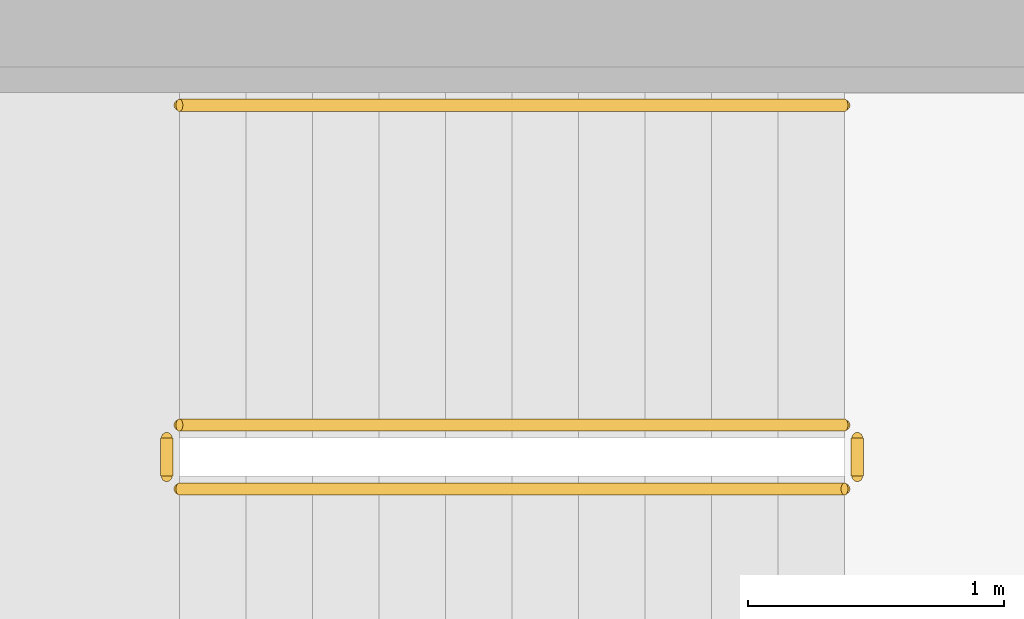
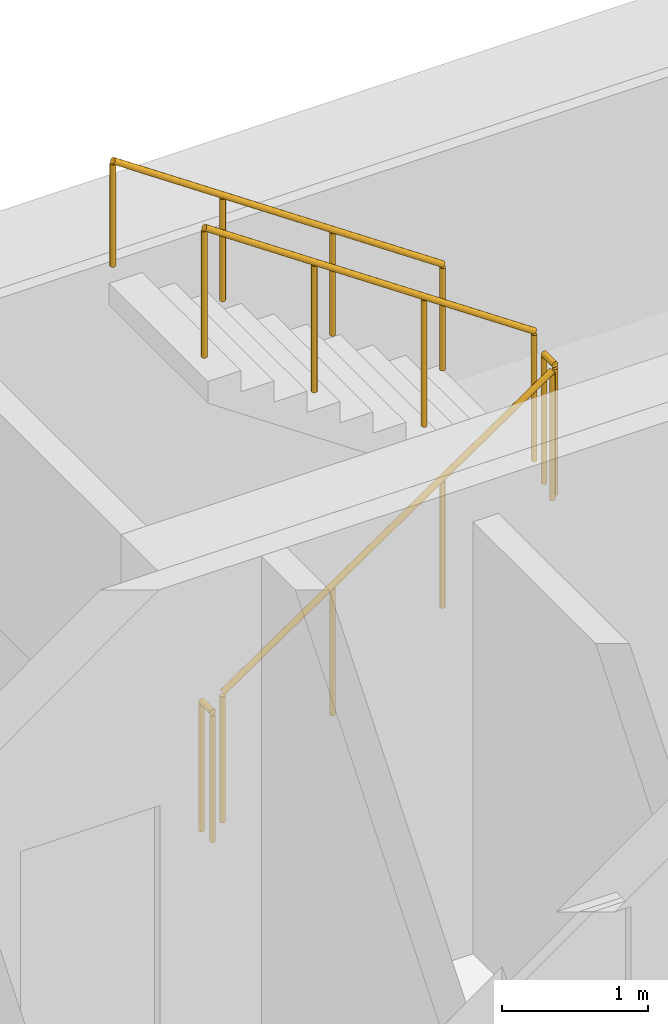
# One storey, part 9 of 9: 5 railings.
"""IFC4 building model written with IfcOpenShell, lengths in metres."""

from ifc_helpers import new_model, si_unit, direction, frame, origin, origin_2d, place, context, subcontext, project, spatial, circle, extrude, material, type_object, element, save


model = new_model("IFC4")

# Units and contexts
model_context = context("Model", 3, precision=1e-05, world=origin(), true_north=direction((0.0, 1.0)))
body_context = subcontext(model_context, "Body", "Model", "MODEL_VIEW")
ifc_project = project(units=[si_unit("LENGTHUNIT", "METRE"), si_unit("AREAUNIT", "SQUARE_METRE"), si_unit("VOLUMEUNIT", "CUBIC_METRE"), si_unit("PLANEANGLEUNIT", "RADIAN"), si_unit("MASSUNIT", "GRAM", prefix="KILO")], contexts=[model_context])

# Site, building, storey
site_placement = place(None, origin())
site = spatial("IfcSite", under=ifc_project, at=site_placement, CompositionType="ELEMENT")
building_placement = place(site_placement, origin())
building = spatial("IfcBuilding", under=site, at=building_placement, Name="White Candle Pilgrim Tower", CompositionType="ELEMENT")
storey_placement = place(building_placement, frame((0.0, 0.0, 235.5)))
storey = spatial("IfcBuildingStorey", under=building, at=storey_placement, Name="L55", CompositionType="ELEMENT", Elevation=235.5)

# Railings
ifc_material = material(Name="Stainless steel", Category="steel")
railing_type_1 = type_object("IfcRailingType", Name="Stair guard stainless steel 1100 mm", PredefinedType="GUARDRAIL", material=ifc_material)
railing_1_placement = place(storey_placement, frame((69.39990234375, 85.550048828125, 0.17724609375)))
element("IfcRailing", 1, at=railing_1_placement, inside=storey, type_object=railing_type_1, Name="L55 ST3 stair guard 1", PredefinedType="GUARDRAIL", context=body_context, shape_type="SweptSolid", body=[
    extrude(circle(Radius=0.02392578125, at=origin_2d()), frame((0.0, 0.0, 1.076171875), z_axis=(0.826240473404, 0.0, 0.563317565952), x_axis=(0.0, 1.0, 0.0)), (0.0, 0.0, 1.0), 3.14697265625),
    extrude(circle(Radius=0.02099609375, at=origin_2d()), origin(), (0.0, 0.0, 1.0), 1.052001953125),
    extrude(circle(Radius=0.02099609375, at=origin_2d()), frame((0.86669921875, 0.0, 0.5908203125)), (0.0, 0.0, 1.0), 1.052001953125),
    extrude(circle(Radius=0.02099609375, at=origin_2d()), frame((1.7333984375, 0.0, 1.181884765625)), (0.0, 0.0, 1.0), 1.052001953125),
    extrude(circle(Radius=0.02099609375, at=origin_2d()), frame((2.60009765625, 0.0, 1.772705078125)), (0.0, 0.0, 1.0), 1.052001953125),
])
railing_2_placement = place(storey_placement, frame((72.050048828125, 85.60009765625, 1.949951171875)))
element("IfcRailing", 2, at=railing_2_placement, inside=storey, type_object=railing_type_1, Name="L55 ST3 stair guard 2", PredefinedType="GUARDRAIL", context=body_context, shape_type="SweptSolid", body=[
    extrude(circle(Radius=0.02392578125, at=origin_2d()), frame((0.0, 0.0, 1.076171875), z_axis=(0.0, 1.0, 0.0), x_axis=(-1.0, 0.0, 0.0)), (0.0, 0.0, 1.0), 0.14990234375),
    extrude(circle(Radius=0.02099609375, at=origin_2d()), origin(), (0.0, 0.0, 1.0), 1.052001953125),
    extrude(circle(Radius=0.02099609375, at=origin_2d()), frame((0.0, 0.14990234375, 0.0)), (0.0, 0.0, 1.0), 1.052001953125),
])
railing_3_placement = place(storey_placement, frame((72.0, 85.800048828125, 2.127197265625)))
element("IfcRailing", 3, at=railing_3_placement, inside=storey, type_object=railing_type_1, Name="L55 ST3 stair guard 3", PredefinedType="GUARDRAIL", context=body_context, shape_type="SweptSolid", body=[
    extrude(circle(Radius=0.02392578125, at=origin_2d()), frame((0.0, 0.0, 1.076171875), z_axis=(-0.826240473404, 0.0, 0.563317565952), x_axis=(0.0, -1.0, 0.0)), (0.0, 0.0, 1.0), 3.14697265625),
    extrude(circle(Radius=0.02099609375, at=origin_2d()), origin(), (0.0, 0.0, 1.0), 1.052001953125),
    extrude(circle(Radius=0.02099609375, at=origin_2d()), frame((-0.86669921875, 0.0, 0.5908203125)), (0.0, 0.0, 1.0), 1.052001953125),
    extrude(circle(Radius=0.02099609375, at=origin_2d()), frame((-1.7333984375, 0.0, 1.181884765625)), (0.0, 0.0, 1.0), 1.052001953125),
    extrude(circle(Radius=0.02099609375, at=origin_2d()), frame((-2.60009765625, 0.0, 1.772705078125)), (0.0, 0.0, 1.0), 1.052001953125),
])
railing_4_placement = place(storey_placement, frame((69.35009765625, 85.60009765625, 0.0)))
element("IfcRailing", 4, at=railing_4_placement, inside=storey, type_object=railing_type_1, Name="L55 ST3 stair guard 4", PredefinedType="GUARDRAIL", context=body_context, shape_type="SweptSolid", body=[
    extrude(circle(Radius=0.02392578125, at=origin_2d()), frame((0.0, 0.0, 1.076171875), z_axis=(0.0, 1.0, 0.0), x_axis=(-1.0, 0.0, 0.0)), (0.0, 0.0, 1.0), 0.14990234375),
    extrude(circle(Radius=0.02099609375, at=origin_2d()), origin(), (0.0, 0.0, 1.0), 1.052001953125),
    extrude(circle(Radius=0.02099609375, at=origin_2d()), frame((0.0, 0.14990234375, 0.0)), (0.0, 0.0, 1.0), 1.052001953125),
])
railing_type_2 = type_object("IfcRailingType", Name="Stair handrail stainless steel", PredefinedType="HANDRAIL", material=ifc_material)
railing_5_placement = place(storey_placement, frame((72.0, 87.050048828125, 2.127197265625)))
element("IfcRailing", 5, at=railing_5_placement, inside=storey, type_object=railing_type_2, Name="L55 ST3 stair handrail 2", PredefinedType="HANDRAIL", context=body_context, shape_type="SweptSolid", body=[
    extrude(circle(Radius=0.02392578125, at=origin_2d()), frame((0.0, 0.0, 0.8759765625), z_axis=(-0.826240473404, 0.0, 0.563317565952), x_axis=(0.0, -1.0, 0.0)), (0.0, 0.0, 1.0), 3.14697265625),
    extrude(circle(Radius=0.02099609375, at=origin_2d()), origin(), (0.0, 0.0, 1.0), 0.851806640625),
    extrude(circle(Radius=0.02099609375, at=origin_2d()), frame((-0.86669921875, 0.0, 0.5908203125)), (0.0, 0.0, 1.0), 0.851806640625),
    extrude(circle(Radius=0.02099609375, at=origin_2d()), frame((-1.7333984375, 0.0, 1.181884765625)), (0.0, 0.0, 1.0), 0.851806640625),
    extrude(circle(Radius=0.02099609375, at=origin_2d()), frame((-2.60009765625, 0.0, 1.772705078125)), (0.0, 0.0, 1.0), 0.851806640625),
])

save(model, "model.ifc")
